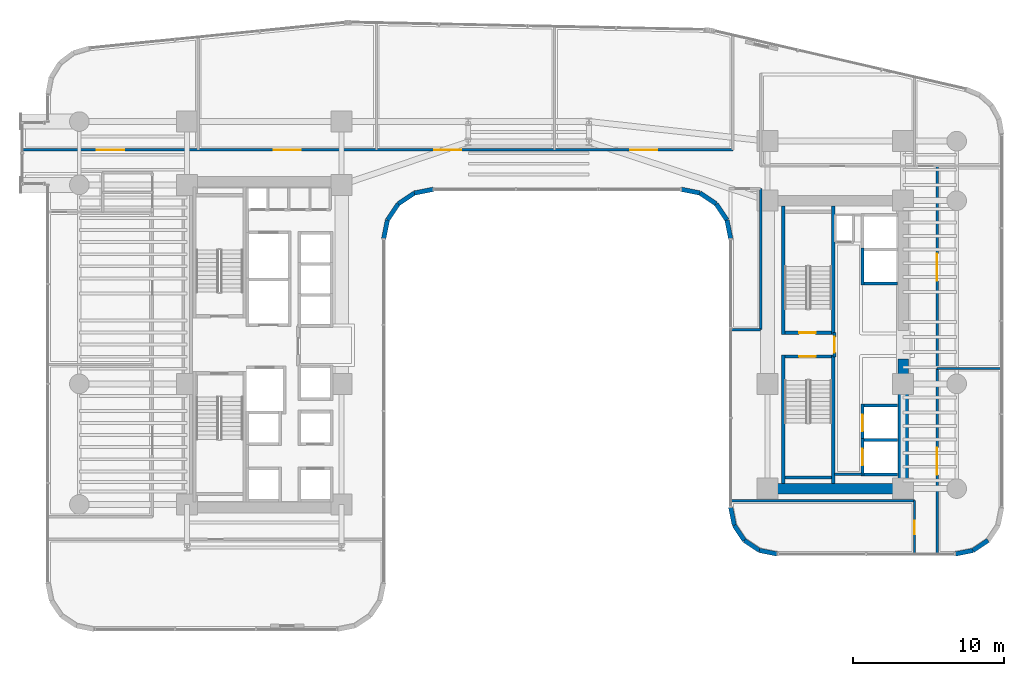
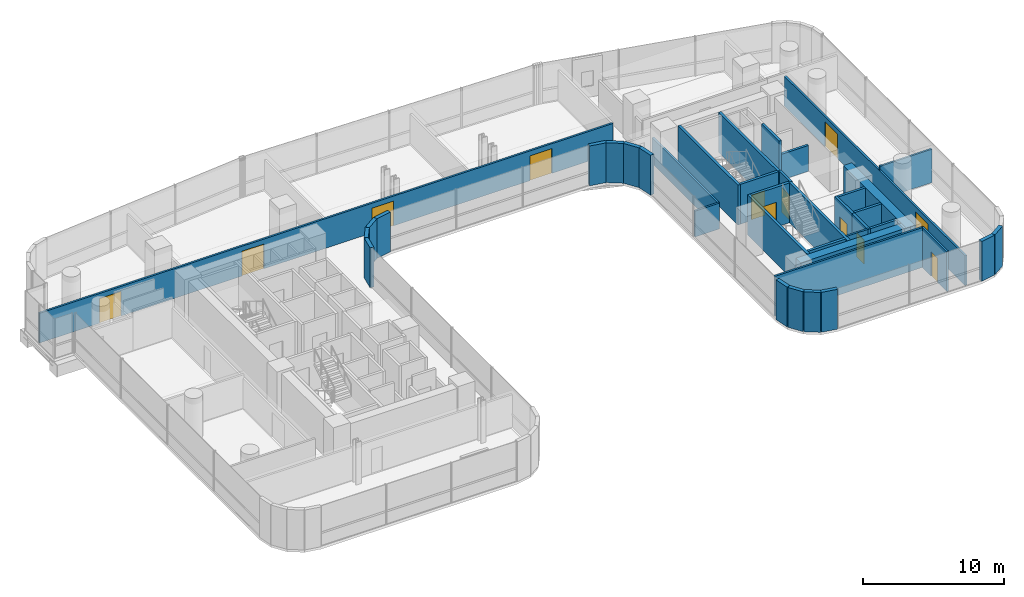
# One storey, part 33 of 40: 39 walls, 12 doors, 12 openings.
"""IFC4 building model written with IfcOpenShell, lengths in metres."""

import ifcopenshell
import ifcopenshell.guid

model = None  # the IFC model being written
_history = None  # IfcOwnerHistory: only IFC2X3 demands one
_inside = {}  # id of a spatial element -> (the spatial element, [elements in it])
_under = {}  # id of a project, library or spatial element -> (it, [spatial elements below it])
_declared = {}  # id of a project -> (the project, [libraries it declares])
_typed = {}  # id of a type object -> (the type object, [elements of that type])
_made_of = {}  # id of a material, layer set ... -> (it, [elements and type objects made of it])


def new_model(schema):
    """Start an empty IFC model of exactly this schema.

    Asked for "IFC4X3", IfcOpenShell would pick the latest addendum, in which some entities
    have other attributes; the version numbers below select the first issue.
    IFC2X3 requires an IfcOwnerHistory on every rooted entity: one is made here for all.
    """
    global model, _history
    if schema == "IFC4X3":
        model = ifcopenshell.file(schema_version=(4, 3, 0, 0))
    else:
        model = ifcopenshell.file(schema=schema)
    _inside.clear()
    _under.clear()
    _declared.clear()
    _typed.clear()
    _made_of.clear()
    _history = None
    if model.schema == "IFC2X3":
        org = make("IfcOrganization", Name="unknown")
        user = make(
            "IfcPersonAndOrganization",
            ThePerson=make("IfcPerson", FamilyName="unknown"),
            TheOrganization=org,
        )
        app = make(
            "IfcApplication",
            ApplicationDeveloper=org,
            Version="unknown",
            ApplicationFullName="unknown",
            ApplicationIdentifier="unknown",
        )
        _history = make(
            "IfcOwnerHistory",
            OwningUser=user,
            OwningApplication=app,
            ChangeAction="ADDED",
            CreationDate=0,
        )
    return model


def make(cls, **values):
    """One entity of the class cls with the attributes given. An attribute that is None is left unset."""
    return model.create_entity(
        cls, **{name: value for name, value in values.items() if value is not None}
    )


def rooted(cls, **values):
    """An entity with a GlobalId (a new one), such as an element, a storey or a relation."""
    return make(cls, GlobalId=ifcopenshell.guid.new(), OwnerHistory=_history, **values)


def si_unit(unit_type, name, prefix=None):
    """IfcSIUnit, for example si_unit("LENGTHUNIT", "METRE", prefix="MILLI")."""
    return make("IfcSIUnit", UnitType=unit_type, Prefix=prefix, Name=name)


def assignment(units):
    """IfcUnitAssignment: the units of a project."""
    return None if units is None else make("IfcUnitAssignment", Units=units)


def point(xyz):
    """IfcCartesianPoint."""
    return None if xyz is None else make("IfcCartesianPoint", Coordinates=xyz)


def direction(xyz):
    """IfcDirection."""
    return None if xyz is None else make("IfcDirection", DirectionRatios=xyz)


def frame(location, z_axis=None, x_axis=None):
    """IfcAxis2Placement3D, a coordinate frame: its origin and axes. An axis left out is left unset."""
    return make(
        "IfcAxis2Placement3D",
        Location=point(location),
        Axis=direction(z_axis),
        RefDirection=direction(x_axis),
    )


def frame_2d(location, x_axis=None):
    """IfcAxis2Placement2D, a coordinate frame in the plane: its origin and x axis."""
    return make(
        "IfcAxis2Placement2D", Location=point(location), RefDirection=direction(x_axis)
    )


def origin():
    """The frame at (0, 0, 0) with its axes left unset."""
    return frame((0.0, 0.0, 0.0))


def place(relative_to, where):
    """IfcLocalPlacement: puts the frame where relative to a parent placement (None: the world)."""
    return make(
        "IfcLocalPlacement", PlacementRelTo=relative_to, RelativePlacement=where
    )


def context(
    kind, dimensions, precision=None, world=None, true_north=None, identifier=None
):
    """IfcGeometricRepresentationContext, for example the 3D "Model" context."""
    return make(
        "IfcGeometricRepresentationContext",
        ContextIdentifier=identifier,
        ContextType=kind,
        CoordinateSpaceDimension=dimensions,
        Precision=precision,
        WorldCoordinateSystem=world,
        TrueNorth=true_north,
    )


def subcontext(parent, identifier, kind, view, scale=None):
    """IfcGeometricRepresentationSubContext, for example "Body" below "Model"."""
    return make(
        "IfcGeometricRepresentationSubContext",
        ContextIdentifier=identifier,
        ContextType=kind,
        ParentContext=parent,
        TargetScale=scale,
        TargetView=view,
    )


def project(units=None, contexts=None):
    """IfcProject with its units and contexts."""
    return rooted(
        "IfcProject",
        Name="project",
        RepresentationContexts=contexts,
        UnitsInContext=assignment(units),
    )


def spatial(cls, under=None, at=None, **own):
    """A site, building, storey or space (cls), placed at a placement, below another one or the project."""
    s = rooted(cls, ObjectPlacement=at, **own)
    if under is not None:
        _under.setdefault(under.id(), (under, []))[1].append(s)
    return s


def profile(cls, at=None, kind="AREA", **sizes):
    """A parametric profile (cls). Its sizes go by their IFC names, for example OverallWidth=200.0."""
    return make(cls, ProfileType=kind, Position=at, **sizes)


def rectangle(**sizes):
    """IfcRectangleProfileDef."""
    return profile("IfcRectangleProfileDef", **sizes)


def extrude(swept, where, along, depth):
    """IfcExtrudedAreaSolid: the profile swept, set in the frame where, extruded along a direction by depth."""
    return make(
        "IfcExtrudedAreaSolid",
        SweptArea=swept,
        Position=where,
        ExtrudedDirection=direction(along),
        Depth=depth,
    )


def shape(context_of_items, identifier, shape_type, items):
    """IfcShapeRepresentation: the items that make up one representation, for example the "Body"."""
    return make(
        "IfcShapeRepresentation",
        ContextOfItems=context_of_items,
        RepresentationIdentifier=identifier,
        RepresentationType=shape_type,
        Items=items,
    )


def material(Name=None, Category=None):
    """IfcMaterial."""
    return make("IfcMaterial", Name=Name, Category=Category)


def layer(
    of_material, thickness, ventilated=None, Name=None, Category=None, Priority=None
):
    """IfcMaterialLayer: one layer of a wall or slab, of a material (None: an air gap)."""
    return make(
        "IfcMaterialLayer",
        Material=of_material,
        LayerThickness=thickness,
        IsVentilated=ventilated,
        Name=Name,
        Category=Category,
        Priority=Priority,
    )


def layer_set(layers, Name=None):
    """IfcMaterialLayerSet."""
    return make("IfcMaterialLayerSet", MaterialLayers=layers, LayerSetName=Name)


def made_of(thing, what):
    """Note that an element or type object is made of a material, layer set ...; save() writes the relation."""
    if what is not None:
        _made_of.setdefault(what.id(), (what, []))[1].append(thing)
    return thing


def type_object(cls, material=None, **own):
    """A type object (cls), such as IfcWallType, which elements share."""
    return made_of(rooted(cls, **own), material)


def element(
    cls,
    number,
    at=None,
    inside=None,
    cuts=None,
    type_object=None,
    material=None,
    context=None,
    identifier="Body",
    shape_type=None,
    held_by="IfcProductDefinitionShape",
    body=None,
    shapes=None,
    **own,
):
    """One element of the class cls, such as IfcWall. Its Tag is "e" and its number.

    at: its placement. inside: the storey or other place that contains it. cuts: it is an
    opening in that element (IfcRelVoidsElement). A single representation is given by context,
    identifier, shape_type and body (its items); several are given by shapes. held_by: the class
    of the entity that holds the representations. save() writes the other relations.
    """
    e = rooted(cls, Tag="e%d" % number, ObjectPlacement=at, **own)
    if body is not None:
        shapes = [shape(context, identifier, shape_type, body)]
    if shapes is not None:
        e.Representation = make(held_by, Representations=shapes)
    if inside is not None:
        _inside.setdefault(inside.id(), (inside, []))[1].append(e)
    if cuts is not None:
        rooted(
            "IfcRelVoidsElement", RelatingBuildingElement=cuts, RelatedOpeningElement=e
        )
    if type_object is not None:
        _typed.setdefault(type_object.id(), (type_object, []))[1].append(e)
    return made_of(e, material)


def fill(opening, filler):
    """IfcRelFillsElement: the door or window that sits in an opening."""
    return rooted(
        "IfcRelFillsElement",
        RelatingOpeningElement=opening,
        RelatedBuildingElement=filler,
    )


def aggregate(whole, parts):
    """IfcRelAggregates: a whole, such as a stair, and the parts it consists of."""
    return rooted("IfcRelAggregates", RelatingObject=whole, RelatedObjects=parts)


def save(model, path):
    """Write the relations noted so far, then the file.

    IfcRelAggregates (storeys below a building ...), IfcRelContainedInSpatialStructure (elements
    in a storey), IfcRelDefinesByType, IfcRelAssociatesMaterial and IfcRelDeclares: one each for
    every whole, place, type object, material and project.
    """
    for whole, parts in _under.values():
        aggregate(whole, parts)
    for where, things in _inside.values():
        rooted(
            "IfcRelContainedInSpatialStructure",
            RelatedElements=things,
            RelatingStructure=where,
        )
    for kind, things in _typed.values():
        rooted("IfcRelDefinesByType", RelatedObjects=things, RelatingType=kind)
    for what, things in _made_of.values():
        rooted("IfcRelAssociatesMaterial", RelatedObjects=things, RelatingMaterial=what)
    for by, libraries in _declared.values():
        rooted("IfcRelDeclares", RelatingContext=by, RelatedDefinitions=libraries)
    model.write(path)


model = new_model("IFC4")

# Units and contexts
model_context = context("Model", 3, precision=1e-05, world=origin(), true_north=direction((0.0, 1.0)))
body_context = subcontext(model_context, "Body", "Model", "MODEL_VIEW")
ifc_project = project(units=[si_unit("LENGTHUNIT", "METRE"), si_unit("AREAUNIT", "SQUARE_METRE"), si_unit("VOLUMEUNIT", "CUBIC_METRE"), si_unit("PLANEANGLEUNIT", "RADIAN"), si_unit("MASSUNIT", "GRAM", prefix="KILO")], contexts=[model_context])

# Site, building, storey
site_placement = place(None, origin())
site = spatial("IfcSite", under=ifc_project, at=site_placement, CompositionType="ELEMENT")
building_placement = place(site_placement, origin())
building = spatial("IfcBuilding", under=site, at=building_placement, Name="Valdorenza Pilgrim Sanctuary Tower", CompositionType="ELEMENT")
storey_placement = place(building_placement, frame((0.0, 0.0, 48.199951171875)))
storey = spatial("IfcBuildingStorey", under=building, at=storey_placement, Name="L11", CompositionType="ELEMENT", Elevation=48.199951171875)

# Wall
ifc_material_1 = material(Name="Acoustic twin-stud gypsum partition", Category="gypsum")
ifc_layer_1 = layer(ifc_material_1, 0.159912109375, Name="Acoustic twin-stud gypsum partition")
ifc_layer_set_1 = layer_set([ifc_layer_1], Name="Acoustic twin-stud gypsum partition")
wall_type_1 = type_object("IfcWallType", Name="WAL-COR-160", PredefinedType="PARTITIONING", material=ifc_layer_set_1)
wall_1_placement = place(storey_placement, frame((20.300048828125, -8.60009765625, 0.0), z_axis=(0.0, 0.0, 1.0), x_axis=(1.0, 0.0, 0.0)))
element("IfcWall", 1, at=wall_1_placement, inside=storey, type_object=wall_type_1, Name="L11 Core B Lift Hall South End Wall", PredefinedType="PARTITIONING", context=body_context, shape_type="SweptSolid", body=[
    extrude(rectangle(XDim=1.820068359375, YDim=0.159912109375, at=frame_2d((0.91015625, 0.0))), origin(), (0.0, 0.0, 1.0), 3.4599609375),
])

# Wall, openings, doors
wall_2_placement = place(storey_placement, frame((-33.5400390625, 12.919921875, 0.0), z_axis=(0.0, 0.0, 1.0), x_axis=(1.0, 0.0, 0.0)))
wall_2 = element("IfcWall", 2, at=wall_2_placement, inside=storey, type_object=wall_type_1, Name="L11 North Corridor Wall", PredefinedType="PARTITIONING", context=body_context, shape_type="SweptSolid", body=[
    extrude(rectangle(XDim=47.090087890625, YDim=0.159912109375, at=frame_2d((23.544921875, 0.0))), origin(), (0.0, 0.0, 1.0), 2.5830078125),
])
opening_1_placement = place(wall_2_placement, frame((4.910888671875, 0.0, 0.0)))
opening_1 = element("IfcOpeningElement", 3, at=opening_1_placement, cuts=wall_2, Name="Opening DR-HL1", PredefinedType="OPENING", context=body_context, shape_type="SweptSolid", body=[
    extrude(rectangle(XDim=1.800048828125, YDim=2.14990234375, at=frame_2d((0.89990234375, 1.074951171875))), frame((0.0, 0.0947265625, 0.0), z_axis=(0.0, -1.0, 0.0), x_axis=(1.0, 0.0, 0.0)), (0.0, 0.0, 1.0), 0.189697265625),
])
opening_2_placement = place(wall_2_placement, frame((16.634033203125, 0.0, 0.0)))
opening_2 = element("IfcOpeningElement", 4, at=opening_2_placement, cuts=wall_2, Name="Opening DR-HL1", PredefinedType="OPENING", context=body_context, shape_type="SweptSolid", body=[
    extrude(rectangle(XDim=1.800048828125, YDim=2.14990234375, at=frame_2d((0.89990234375, 1.074951171875))), frame((0.0, 0.0947265625, 0.0), z_axis=(0.0, -1.0, 0.0), x_axis=(1.0, 0.0, 0.0)), (0.0, 0.0, 1.0), 0.189697265625),
])
opening_3_placement = place(wall_2_placement, frame((27.284912109375, 0.0, 0.0)))
opening_3 = element("IfcOpeningElement", 5, at=opening_3_placement, cuts=wall_2, Name="Opening DR-HL1", PredefinedType="OPENING", context=body_context, shape_type="SweptSolid", body=[
    extrude(rectangle(XDim=1.800048828125, YDim=2.14990234375, at=frame_2d((0.89990234375, 1.074951171875))), frame((0.0, 0.0947265625, 0.0), z_axis=(0.0, -1.0, 0.0), x_axis=(1.0, 0.0, 0.0)), (0.0, 0.0, 1.0), 0.189697265625),
])
opening_4_placement = place(wall_2_placement, frame((40.279052734375, 0.0, 0.0)))
opening_4 = element("IfcOpeningElement", 6, at=opening_4_placement, cuts=wall_2, Name="Opening DR-HL1", PredefinedType="OPENING", context=body_context, shape_type="SweptSolid", body=[
    extrude(rectangle(XDim=1.800048828125, YDim=2.14990234375, at=frame_2d((0.89990234375, 1.074951171875))), frame((0.0, 0.0947265625, 0.0), z_axis=(0.0, -1.0, 0.0), x_axis=(1.0, 0.0, 0.0)), (0.0, 0.0, 1.0), 0.189697265625),
])
ifc_material_2 = material(Name="Acoustic oak and vision-glass double door", Category="glass")
door_type_1 = type_object("IfcDoorType", Name="DR-HALL-1800", OperationType="NOTDEFINED", PredefinedType="DOOR", material=ifc_material_2)
door_1_placement = place(opening_1_placement, frame((1.800048828125, 0.0, 0.0), z_axis=(0.0, 0.0, 1.0), x_axis=(-1.0, 0.0, 0.0)))
door_1 = element("IfcDoor", 7, at=door_1_placement, inside=storey, type_object=door_type_1, Name="L11 Sacred Art Exhibition Gallery L11-N1 Door", OperationType="DOUBLE_DOOR_SINGLE_SWING", OverallHeight=2.14990234375, OverallWidth=1.800048828125, PredefinedType="DOOR", context=body_context, shape_type="SweptSolid", body=[
    extrude(rectangle(XDim=1.800048828125, YDim=2.14990234375, at=frame_2d((0.89990234375, 1.074951171875))), frame((0.0, 0.02490234375, 0.0), z_axis=(0.0, -1.0, 0.0), x_axis=(1.0, 0.0, 0.0)), (0.0, 0.0, 1.0), 0.050048828125),
])
fill(opening_1, door_1)
door_2_placement = place(opening_2_placement, origin())
door_2 = element("IfcDoor", 8, at=door_2_placement, inside=storey, type_object=door_type_1, Name="L11 Sacred Art Exhibition Gallery L11-N2 Door", OperationType="DOUBLE_DOOR_SINGLE_SWING", OverallHeight=2.14990234375, OverallWidth=1.800048828125, PredefinedType="DOOR", context=body_context, shape_type="SweptSolid", body=[
    extrude(rectangle(XDim=1.800048828125, YDim=2.14990234375, at=frame_2d((0.89990234375, 1.074951171875))), frame((0.0, 0.02490234375, 0.0), z_axis=(0.0, -1.0, 0.0), x_axis=(1.0, 0.0, 0.0)), (0.0, 0.0, 1.0), 0.050048828125),
])
fill(opening_2, door_2)
door_3_placement = place(opening_3_placement, frame((1.800048828125, 0.0, 0.0), z_axis=(0.0, 0.0, 1.0), x_axis=(-1.0, 0.0, 0.0)))
door_3 = element("IfcDoor", 9, at=door_3_placement, inside=storey, type_object=door_type_1, Name="L11 Sacred Art Exhibition Gallery L11-N3 Door", OperationType="DOUBLE_DOOR_SINGLE_SWING", OverallHeight=2.14990234375, OverallWidth=1.800048828125, PredefinedType="DOOR", context=body_context, shape_type="SweptSolid", body=[
    extrude(rectangle(XDim=1.800048828125, YDim=2.14990234375, at=frame_2d((0.89990234375, 1.074951171875))), frame((0.0, 0.02490234375, 0.0), z_axis=(0.0, -1.0, 0.0), x_axis=(1.0, 0.0, 0.0)), (0.0, 0.0, 1.0), 0.050048828125),
])
fill(opening_3, door_3)
door_4_placement = place(opening_4_placement, origin())
door_4 = element("IfcDoor", 10, at=door_4_placement, inside=storey, type_object=door_type_1, Name="L11 Sacred Art Exhibition Gallery L11-N4 Door", OperationType="DOUBLE_DOOR_SINGLE_SWING", OverallHeight=2.14990234375, OverallWidth=1.800048828125, PredefinedType="DOOR", context=body_context, shape_type="SweptSolid", body=[
    extrude(rectangle(XDim=1.800048828125, YDim=2.14990234375, at=frame_2d((0.89990234375, 1.074951171875))), frame((0.0, 0.02490234375, 0.0), z_axis=(0.0, -1.0, 0.0), x_axis=(1.0, 0.0, 0.0)), (0.0, 0.0, 1.0), 0.050048828125),
])
fill(opening_4, door_4)

# Wall, opening, door
wall_3_placement = place(storey_placement, frame((25.60009765625, -13.889892578125, 0.0), z_axis=(0.0, 0.0, 1.0), x_axis=(0.0, 1.0, 0.0)))
wall_3 = element("IfcWall", 11, at=wall_3_placement, inside=storey, type_object=wall_type_1, Name="L11 Wing B South-East Corridor Wall", PredefinedType="PARTITIONING", context=body_context, shape_type="SweptSolid", body=[
    extrude(rectangle(XDim=3.539794921875, YDim=0.159912109375, at=frame_2d((1.77001953125, 0.0))), origin(), (0.0, 0.0, 1.0), 3.4599609375),
])
opening_5_placement = place(wall_3_placement, frame((1.320068359375, 0.0, 0.0)))
opening_5 = element("IfcOpeningElement", 12, at=opening_5_placement, cuts=wall_3, Name="Opening DR-RM1", PredefinedType="OPENING", context=body_context, shape_type="SweptSolid", body=[
    extrude(rectangle(XDim=0.89990234375, YDim=2.10009765625, at=frame_2d((0.449951171875, 1.050048828125))), frame((0.0, 0.0947265625, 0.0), z_axis=(0.0, -1.0, 0.0), x_axis=(1.0, 0.0, 0.0)), (0.0, 0.0, 1.0), 0.189697265625),
])
ifc_material_3 = material(Name="Solid-core European oak timber", Category="wood")
door_type_2 = type_object("IfcDoorType", Name="DR-ROOM-900", OperationType="NOTDEFINED", PredefinedType="DOOR", material=ifc_material_3)
door_5_placement = place(opening_5_placement, origin())
door_5 = element("IfcDoor", 13, at=door_5_placement, inside=storey, type_object=door_type_2, Name="L11 Theological Reference Library L11-BS Door", OperationType="SINGLE_SWING_RIGHT", OverallHeight=2.10009765625, OverallWidth=0.89990234375, PredefinedType="DOOR", context=body_context, shape_type="SweptSolid", body=[
    extrude(rectangle(XDim=0.89990234375, YDim=2.10009765625, at=frame_2d((0.449951171875, 1.050048828125))), frame((0.0, 0.02490234375, 0.0), z_axis=(0.0, -1.0, 0.0), x_axis=(1.0, 0.0, 0.0)), (0.0, 0.0, 1.0), 0.050048828125),
])
fill(opening_5, door_5)

# Wall
wall_4_placement = place(storey_placement, frame((13.409912109375, -10.35009765625, 0.0), z_axis=(0.0, 0.0, 1.0), x_axis=(1.0, 0.0, 0.0)))
element("IfcWall", 14, at=wall_4_placement, inside=storey, type_object=wall_type_1, Name="L11 Wing B South North Wall", PredefinedType="PARTITIONING", context=body_context, shape_type="SweptSolid", body=[
    extrude(rectangle(XDim=12.190185546875, YDim=0.159912109375, at=frame_2d((6.09521484375, 0.0))), origin(), (0.0, 0.0, 1.0), 3.4599609375),
])

# Wall, openings, doors
wall_5_placement = place(storey_placement, frame((27.10009765625, -13.889892578125, 0.0), z_axis=(0.0, 0.0, 1.0), x_axis=(0.0, 1.0, 0.0)))
wall_5 = element("IfcWall", 15, at=wall_5_placement, inside=storey, type_object=wall_type_1, Name="L11 Wing B East Corridor Wall", PredefinedType="PARTITIONING", context=body_context, shape_type="SweptSolid", body=[
    extrude(rectangle(XDim=25.739990234375, YDim=0.159912109375, at=frame_2d((12.8701171875, 0.0))), origin(), (0.0, 0.0, 1.0), 2.5830078125),
])
opening_6_placement = place(wall_5_placement, frame((5.258056640625, 0.0, 0.0)))
opening_6 = element("IfcOpeningElement", 16, at=opening_6_placement, cuts=wall_5, Name="Opening DR-HL1", PredefinedType="OPENING", context=body_context, shape_type="SweptSolid", body=[
    extrude(rectangle(XDim=1.800048828125, YDim=2.14990234375, at=frame_2d((0.89990234375, 1.074951171875))), frame((0.0, 0.0947265625, 0.0), z_axis=(0.0, -1.0, 0.0), x_axis=(1.0, 0.0, 0.0)), (0.0, 0.0, 1.0), 0.189697265625),
])
opening_7_placement = place(wall_5_placement, frame((18.1279296875, 0.0, 0.0)))
opening_7 = element("IfcOpeningElement", 17, at=opening_7_placement, cuts=wall_5, Name="Opening DR-HL1", PredefinedType="OPENING", context=body_context, shape_type="SweptSolid", body=[
    extrude(rectangle(XDim=1.800048828125, YDim=2.14990234375, at=frame_2d((0.89990234375, 1.074951171875))), frame((0.0, 0.0947265625, 0.0), z_axis=(0.0, -1.0, 0.0), x_axis=(1.0, 0.0, 0.0)), (0.0, 0.0, 1.0), 0.189697265625),
])
door_6_placement = place(opening_6_placement, origin())
door_6 = element("IfcDoor", 18, at=door_6_placement, inside=storey, type_object=door_type_1, Name="L11 Sacred Art Exhibition Gallery L11-EB1 Door", OperationType="DOUBLE_DOOR_SINGLE_SWING", OverallHeight=2.14990234375, OverallWidth=1.800048828125, PredefinedType="DOOR", context=body_context, shape_type="SweptSolid", body=[
    extrude(rectangle(XDim=1.800048828125, YDim=2.14990234375, at=frame_2d((0.89990234375, 1.074951171875))), frame((0.0, 0.02490234375, 0.0), z_axis=(0.0, -1.0, 0.0), x_axis=(1.0, 0.0, 0.0)), (0.0, 0.0, 1.0), 0.050048828125),
])
fill(opening_6, door_6)
door_7_placement = place(opening_7_placement, frame((1.800048828125, 0.0, 0.0), z_axis=(0.0, 0.0, 1.0), x_axis=(-1.0, 0.0, 0.0)))
door_7 = element("IfcDoor", 19, at=door_7_placement, inside=storey, type_object=door_type_1, Name="L11 Sacred Art Exhibition Gallery L11-EB2 Door", OperationType="DOUBLE_DOOR_SINGLE_SWING", OverallHeight=2.14990234375, OverallWidth=1.800048828125, PredefinedType="DOOR", context=body_context, shape_type="SweptSolid", body=[
    extrude(rectangle(XDim=1.800048828125, YDim=2.14990234375, at=frame_2d((0.89990234375, 1.074951171875))), frame((0.0, 0.02490234375, 0.0), z_axis=(0.0, -1.0, 0.0), x_axis=(1.0, 0.0, 0.0)), (0.0, 0.0, 1.0), 0.050048828125),
])
fill(opening_7, door_7)

# Walls
wall_6_placement = place(storey_placement, frame((15.39990234375, 1.0, 0.0), z_axis=(0.0, 0.0, 1.0), x_axis=(0.0, 1.0, 0.0)))
element("IfcWall", 20, at=wall_6_placement, inside=storey, type_object=wall_type_1, Name="L11 Courtyard Overlook East Wall", PredefinedType="PARTITIONING", context=body_context, shape_type="SweptSolid", body=[
    extrude(rectangle(XDim=9.35009765625, YDim=0.159912109375, at=frame_2d((4.675048828125, 0.0))), origin(), (0.0, 0.0, 1.0), 2.2451171875),
])
wall_7_placement = place(storey_placement, frame((13.409912109375, 1.0, 0.0), z_axis=(0.0, 0.0, 1.0), x_axis=(1.0, 0.0, 0.0)))
element("IfcWall", 21, at=wall_7_placement, inside=storey, type_object=wall_type_1, Name="L11 Courtyard Overlook South Wall", PredefinedType="PARTITIONING", context=body_context, shape_type="SweptSolid", body=[
    extrude(rectangle(XDim=1.989990234375, YDim=0.159912109375, at=frame_2d((0.9951171875, 0.0))), origin(), (0.0, 0.0, 1.0), 2.2451171875),
])
ifc_material_4 = material(Name="Concrete C60/75", Category="concrete")
ifc_layer_2 = layer(ifc_material_4, 0.699951171875, Name="Concrete C60/75")
ifc_layer_set_2 = layer_set([ifc_layer_2], Name="Concrete C60/75")
wall_type_2 = type_object("IfcWallType", Name="WAL-COR-700", PredefinedType="SHEAR", material=ifc_layer_set_2)
wall_8_placement = place(storey_placement, frame((24.85009765625, -9.89990234375, 0.0), z_axis=(0.0, 0.0, 1.0), x_axis=(0.0, 1.0, 0.0)))
element("IfcWall", 22, at=wall_8_placement, inside=storey, type_object=wall_type_2, Name="L11 Split Core B Shear Wall ES", PredefinedType="SHEAR", context=body_context, shape_type="SweptSolid", body=[
    extrude(rectangle(XDim=8.949951171875, YDim=0.699951171875, at=frame_2d((4.47509765625, 0.0))), origin(), (0.0, 0.0, 1.0), 3.4599609375),
])
wall_9_placement = place(storey_placement, frame((15.85009765625, -9.550048828125, 0.0), z_axis=(0.0, 0.0, 1.0), x_axis=(1.0, 0.0, 0.0)))
element("IfcWall", 23, at=wall_9_placement, inside=storey, type_object=wall_type_2, Name="L11 Split Core B Shear Wall S", PredefinedType="SHEAR", context=body_context, shape_type="SweptSolid", body=[
    extrude(rectangle(XDim=9.0, YDim=0.699951171875, at=frame_2d((4.5, 0.0))), origin(), (0.0, 0.0, 1.0), 3.4599609375),
])
ifc_material_5 = material(Name="Honed travertine limestone", Category="masonry")
ifc_layer_3 = layer(ifc_material_5, 0.300048828125, Name="Honed travertine limestone")
ifc_layer_set_3 = layer_set([ifc_layer_3], Name="Honed travertine limestone")
wall_type_3 = type_object("IfcWallType", Name="WAL-EXT-300", PredefinedType="SOLIDWALL", material=ifc_layer_set_3)
wall_10_placement = place(storey_placement, frame((30.4833984375, -12.9833984375, 0.0), z_axis=(0.0, 0.0, 1.0), x_axis=(-0.831426265255, -0.555635100982, 0.0)))
element("IfcWall", 24, at=wall_10_placement, inside=storey, type_object=wall_type_3, Name="L11 Rounded Wind-Corner Stone Pier 24", PredefinedType="SOLIDWALL", context=body_context, shape_type="SweptSolid", body=[
    extrude(rectangle(XDim=1.204833984375, YDim=0.300048828125, at=frame_2d((0.6025390625, 0.0))), origin(), (0.0, 0.0, 1.0), 3.4599609375),
])
for number, where, z_axis, x_axis, name in (
    (25, (29.481689453125, -13.65283203125, 0.0), (0.0, 0.0, 1.0), (-0.980804027463, -0.194996050505, 0.0), "L11 Rounded Wind-Corner Stone Pier 25"),
    (26, (16.5107421875, -13.889892578125, 0.0), (0.0, 0.0, 1.0), (-0.980804027463, 0.194996050505, 0.0), "L11 Rounded Wind-Corner Stone Pier 27"),
):
    element("IfcWall", number, at=place(storey_placement, frame(where, z_axis=z_axis, x_axis=x_axis)), inside=storey, type_object=wall_type_3, Name=name, PredefinedType="SOLIDWALL", context=body_context, shape_type="SweptSolid", body=[
        extrude(rectangle(XDim=1.2158203125, YDim=0.300048828125, at=frame_2d((0.60791015625, 0.0))), origin(), (0.0, 0.0, 1.0), 3.4599609375),
    ])
for number, where, z_axis, x_axis, name in (
    (27, (15.318359375, -13.65283203125, 0.0), (0.0, 0.0, 1.0), (-0.831426265255, 0.555635100982, 0.0), "L11 Rounded Wind-Corner Stone Pier 28"),
    (28, (14.316650390625, -12.9833984375, 0.0), (0.0, 0.0, 1.0), (-0.555635100982, 0.831426265255, 0.0), "L11 Rounded Wind-Corner Stone Pier 29"),
):
    element("IfcWall", number, at=place(storey_placement, frame(where, z_axis=z_axis, x_axis=x_axis)), inside=storey, type_object=wall_type_3, Name=name, PredefinedType="SOLIDWALL", context=body_context, shape_type="SweptSolid", body=[
        extrude(rectangle(XDim=1.204833984375, YDim=0.300048828125, at=frame_2d((0.6025390625, 0.0))), origin(), (0.0, 0.0, 1.0), 3.4599609375),
    ])
wall_11_placement = place(storey_placement, frame((13.647216796875, -11.981689453125, 0.0), z_axis=(0.0, 0.0, 1.0), x_axis=(-0.195189223115, 0.980765602568, 0.0)))
element("IfcWall", 29, at=wall_11_placement, inside=storey, type_object=wall_type_3, Name="L11 Rounded Wind-Corner Stone Pier 30", PredefinedType="SOLIDWALL", context=body_context, shape_type="SweptSolid", body=[
    extrude(rectangle(XDim=1.2158203125, YDim=0.300048828125, at=frame_2d((0.60791015625, 0.0))), origin(), (0.0, 0.0, 1.0), 3.4599609375),
])
wall_12_placement = place(storey_placement, frame((13.409912109375, 7.0107421875, 0.0), z_axis=(0.0, 0.0, 1.0), x_axis=(-0.195090163074, 0.980785312019, 0.0)))
element("IfcWall", 30, at=wall_12_placement, inside=storey, type_object=wall_type_3, Name="L11 Rounded Wind-Corner Stone Pier 32", PredefinedType="SOLIDWALL", context=body_context, shape_type="SweptSolid", body=[
    extrude(rectangle(XDim=1.281494140625, YDim=0.300048828125, at=frame_2d((0.640625, 0.0))), origin(), (0.0, 0.0, 1.0), 3.4599609375),
])
for number, where, z_axis, x_axis, name in (
    (31, (13.159912109375, 8.267578125, 0.0), (0.0, 0.0, 1.0), (-0.555615398575, 0.831439431869, 0.0), "L11 Rounded Wind-Corner Stone Pier 33"),
    (32, (12.44189453125, 9.342041015625, 0.0), (0.0, 0.0, 1.0), (-0.831439431869, 0.555615398575, 0.0), "L11 Rounded Wind-Corner Stone Pier 34"),
):
    element("IfcWall", number, at=place(storey_placement, frame(where, z_axis=z_axis, x_axis=x_axis)), inside=storey, type_object=wall_type_3, Name=name, PredefinedType="SOLIDWALL", context=body_context, shape_type="SweptSolid", body=[
        extrude(rectangle(XDim=1.292236328125, YDim=0.300048828125, at=frame_2d((0.64599609375, 0.0))), origin(), (0.0, 0.0, 1.0), 3.4599609375),
    ])
for number, where, z_axis, x_axis, name in (
    (33, (11.367431640625, 10.06005859375, 0.0), (0.0, 0.0, 1.0), (-0.980778058848, 0.195126623715, 0.0), "L11 Rounded Wind-Corner Stone Pier 35"),
    (34, (-6.310791015625, 10.31005859375, 0.0), (0.0, 0.0, 1.0), (-0.980778058848, -0.195126623715, 0.0), "L11 Rounded Wind-Corner Stone Pier 37"),
):
    element("IfcWall", number, at=place(storey_placement, frame(where, z_axis=z_axis, x_axis=x_axis)), inside=storey, type_object=wall_type_3, Name=name, PredefinedType="SOLIDWALL", context=body_context, shape_type="SweptSolid", body=[
        extrude(rectangle(XDim=1.28125, YDim=0.300048828125, at=frame_2d((0.640625, 0.0))), origin(), (0.0, 0.0, 1.0), 3.4599609375),
    ])
wall_13_placement = place(storey_placement, frame((-7.5673828125, 10.06005859375, 0.0), z_axis=(0.0, 0.0, 1.0), x_axis=(-0.831497739511, -0.555528135371, 0.0)))
element("IfcWall", 35, at=wall_13_placement, inside=storey, type_object=wall_type_3, Name="L11 Rounded Wind-Corner Stone Pier 38", PredefinedType="SOLIDWALL", context=body_context, shape_type="SweptSolid", body=[
    extrude(rectangle(XDim=1.29248046875, YDim=0.300048828125, at=frame_2d((0.646240234375, 0.0))), origin(), (0.0, 0.0, 1.0), 3.4599609375),
])
wall_14_placement = place(storey_placement, frame((-8.64208984375, 9.342041015625, 0.0), z_axis=(0.0, 0.0, 1.0), x_axis=(-0.555615398575, -0.831439431869, 0.0)))
element("IfcWall", 36, at=wall_14_placement, inside=storey, type_object=wall_type_3, Name="L11 Rounded Wind-Corner Stone Pier 39", PredefinedType="SOLIDWALL", context=body_context, shape_type="SweptSolid", body=[
    extrude(rectangle(XDim=1.292236328125, YDim=0.300048828125, at=frame_2d((0.64599609375, 0.0))), origin(), (0.0, 0.0, 1.0), 3.4599609375),
])
wall_15_placement = place(storey_placement, frame((-9.360107421875, 8.267578125, 0.0), z_axis=(0.0, 0.0, 1.0), x_axis=(-0.195090163074, -0.980785312019, 0.0)))
element("IfcWall", 37, at=wall_15_placement, inside=storey, type_object=wall_type_3, Name="L11 Rounded Wind-Corner Stone Pier 40", PredefinedType="SOLIDWALL", context=body_context, shape_type="SweptSolid", body=[
    extrude(rectangle(XDim=1.281494140625, YDim=0.300048828125, at=frame_2d((0.640625, 0.0))), origin(), (0.0, 0.0, 1.0), 3.4599609375),
])

# Wall, opening, door
ifc_material_6 = material(Name="Gypsum shaftwall partition", Category="gypsum")
ifc_layer_4 = layer(ifc_material_6, 0.199951171875, Name="Gypsum shaftwall partition")
ifc_layer_set_4 = layer_set([ifc_layer_4], Name="Gypsum shaftwall partition")
wall_type_4 = type_object("IfcWallType", Name="WAL-FFL-200", PredefinedType="PARTITIONING", material=ifc_layer_set_4)
wall_16_placement = place(storey_placement, frame((20.300048828125, -0.820068359375, 0.0), z_axis=(0.0, 0.0, 1.0), x_axis=(0.0, 1.0, 0.0)))
wall_16 = element("IfcWall", 38, at=wall_16_placement, inside=storey, type_object=wall_type_4, Name="L11 Core B Firefighting Lobby East Wall", PredefinedType="PARTITIONING", context=body_context, shape_type="SweptSolid", body=[
    extrude(rectangle(XDim=1.64013671875, YDim=0.199951171875, at=frame_2d((0.820068359375, 0.0))), origin(), (0.0, 0.0, 1.0), 3.4599609375),
])
opening_8_placement = place(wall_16_placement, frame((0.294921875, 0.0, 0.0)))
opening_8 = element("IfcOpeningElement", 39, at=opening_8_placement, cuts=wall_16, Name="Opening DR-FL1", PredefinedType="OPENING", context=body_context, shape_type="SweptSolid", body=[
    extrude(rectangle(XDim=1.050048828125, YDim=2.14990234375, at=frame_2d((0.52490234375, 1.074951171875))), frame((0.0, 0.11474609375, 0.0), z_axis=(0.0, -1.0, 0.0), x_axis=(1.0, 0.0, 0.0)), (0.0, 0.0, 1.0), 0.229736328125),
])
ifc_material_7 = material(Name="Painted galvanized steel", Category="steel")
door_type_3 = type_object("IfcDoorType", Name="DR-FFL-1050", OperationType="NOTDEFINED", PredefinedType="DOOR", material=ifc_material_7)
door_8_placement = place(opening_8_placement, frame((1.050048828125, 0.0, 0.0), z_axis=(0.0, 0.0, 1.0), x_axis=(-1.0, 0.0, 0.0)))
door_8 = element("IfcDoor", 40, at=door_8_placement, inside=storey, type_object=door_type_3, Name="L11 Core B Firefighting Lobby Door", OperationType="SINGLE_SWING_LEFT", OverallHeight=2.14990234375, OverallWidth=1.050048828125, PredefinedType="DOOR", context=body_context, shape_type="SweptSolid", body=[
    extrude(rectangle(XDim=1.050048828125, YDim=2.14990234375, at=frame_2d((0.52490234375, 1.074951171875))), frame((0.0, 0.02490234375, 0.0), z_axis=(0.0, -1.0, 0.0), x_axis=(1.0, 0.0, 0.0)), (0.0, 0.0, 1.0), 0.050048828125),
])
fill(opening_8, door_8)

ifc_material_8 = material(Name="Autoclaved aerated concrete blockwork", Category="masonry")
ifc_layer_5 = layer(ifc_material_8, 0.199951171875, Name="Autoclaved aerated concrete blockwork")
ifc_layer_set_5 = layer_set([ifc_layer_5], Name="Autoclaved aerated concrete blockwork")
wall_type_5 = type_object("IfcWallType", Name="WAL-SHF-200", PredefinedType="MOVABLE", material=ifc_layer_set_5)
wall_17_placement = place(storey_placement, frame((22.14990234375, -8.699951171875, 0.0), z_axis=(0.0, 0.0, 1.0), x_axis=(0.0, 1.0, 0.0)))
wall_17 = element("IfcWall", 41, at=wall_17_placement, inside=storey, type_object=wall_type_5, Name="L11 Lift PL-03 Hoistway Wall West", PredefinedType="MOVABLE", context=body_context, shape_type="SweptSolid", body=[
    extrude(rectangle(XDim=2.474853515625, YDim=0.199951171875, at=frame_2d((1.2373046875, 0.0))), origin(), (0.0, 0.0, 1.0), 3.4599609375),
])
opening_9_placement = place(wall_17_placement, frame((0.6875, 0.0, 0.0)))
opening_9 = element("IfcOpeningElement", 42, at=opening_9_placement, cuts=wall_17, Name="Opening LD-01", PredefinedType="OPENING", context=body_context, shape_type="SweptSolid", body=[
    extrude(rectangle(XDim=1.10009765625, YDim=2.10009765625, at=frame_2d((0.550048828125, 1.050048828125))), frame((0.0, 0.11474609375, 0.0), z_axis=(0.0, -1.0, 0.0), x_axis=(1.0, 0.0, 0.0)), (0.0, 0.0, 1.0), 0.229736328125),
])
ifc_material_9 = material(Name="Brushed stainless steel Grade 316", Category="steel")
door_type_4 = type_object("IfcDoorType", Name="DR-LFT-1100", OperationType="DOUBLE_DOOR_SLIDING", PredefinedType="DOOR", material=ifc_material_9)
door_9_placement = place(opening_9_placement, origin())
door_9 = element("IfcDoor", 43, at=door_9_placement, inside=storey, type_object=door_type_4, Name="L11 Lift PL-03 Sliding Landing Door", OperationType="DOUBLE_DOOR_SLIDING", OverallHeight=2.10009765625, OverallWidth=1.10009765625, PredefinedType="DOOR", context=body_context, shape_type="SweptSolid", body=[
    extrude(rectangle(XDim=1.10009765625, YDim=2.10009765625, at=frame_2d((0.550048828125, 1.050048828125))), frame((0.0, 0.02490234375, 0.0), z_axis=(0.0, -1.0, 0.0), x_axis=(1.0, 0.0, 0.0)), (0.0, 0.0, 1.0), 0.050048828125),
])
fill(opening_9, door_9)

# Walls
for number, where, z_axis, x_axis, name in (
    (44, (22.25, -8.60009765625, 0.0), (0.0, 0.0, 1.0), (1.0, 0.0, 0.0), "L11 Lift PL-03 Hoistway Wall South"),
    (45, (22.25, -6.324951171875, 0.0), (0.0, 0.0, 1.0), (1.0, 0.0, 0.0), "L11 Lift PL-03 Hoistway Wall North"),
):
    element("IfcWall", number, at=place(storey_placement, frame(where, z_axis=z_axis, x_axis=x_axis)), inside=storey, type_object=wall_type_5, Name=name, PredefinedType="MOVABLE", context=body_context, shape_type="SweptSolid", body=[
        extrude(rectangle(XDim=2.22998046875, YDim=0.199951171875, at=frame_2d((1.114990234375, 0.0))), origin(), (0.0, 0.0, 1.0), 3.4599609375),
    ])

# Wall, opening, door
wall_18_placement = place(storey_placement, frame((22.14990234375, -6.425048828125, 0.0), z_axis=(0.0, 0.0, 1.0), x_axis=(0.0, 1.0, 0.0)))
wall_18 = element("IfcWall", 46, at=wall_18_placement, inside=storey, type_object=wall_type_5, Name="L11 Lift PL-04 Hoistway Wall West", PredefinedType="MOVABLE", context=body_context, shape_type="SweptSolid", body=[
    extrude(rectangle(XDim=2.47509765625, YDim=0.199951171875, at=frame_2d((1.237548828125, 0.0))), origin(), (0.0, 0.0, 1.0), 3.4599609375),
])
opening_10_placement = place(wall_18_placement, frame((0.6875, 0.0, 0.0)))
opening_10 = element("IfcOpeningElement", 47, at=opening_10_placement, cuts=wall_18, Name="Opening LD-01", PredefinedType="OPENING", context=body_context, shape_type="SweptSolid", body=[
    extrude(rectangle(XDim=1.10009765625, YDim=2.10009765625, at=frame_2d((0.550048828125, 1.050048828125))), frame((0.0, 0.11474609375, 0.0), z_axis=(0.0, -1.0, 0.0), x_axis=(1.0, 0.0, 0.0)), (0.0, 0.0, 1.0), 0.229736328125),
])
door_10_placement = place(opening_10_placement, origin())
door_10 = element("IfcDoor", 48, at=door_10_placement, inside=storey, type_object=door_type_4, Name="L11 Lift PL-04 Sliding Landing Door", OperationType="DOUBLE_DOOR_SLIDING", OverallHeight=2.10009765625, OverallWidth=1.10009765625, PredefinedType="DOOR", context=body_context, shape_type="SweptSolid", body=[
    extrude(rectangle(XDim=1.10009765625, YDim=2.10009765625, at=frame_2d((0.550048828125, 1.050048828125))), frame((0.0, 0.02490234375, 0.0), z_axis=(0.0, -1.0, 0.0), x_axis=(1.0, 0.0, 0.0)), (0.0, 0.0, 1.0), 0.050048828125),
])
fill(opening_10, door_10)

# Walls
wall_19_placement = place(storey_placement, frame((22.25, -4.050048828125, 0.0), z_axis=(0.0, 0.0, 1.0), x_axis=(1.0, 0.0, 0.0)))
element("IfcWall", 49, at=wall_19_placement, inside=storey, type_object=wall_type_5, Name="L11 Lift PL-04 Hoistway Wall North", PredefinedType="MOVABLE", context=body_context, shape_type="SweptSolid", body=[
    extrude(rectangle(XDim=2.22998046875, YDim=0.199951171875, at=frame_2d((1.114990234375, 0.0))), origin(), (0.0, 0.0, 1.0), 3.4599609375),
])
wall_20_placement = place(storey_placement, frame((22.14990234375, 3.949951171875, 0.0), z_axis=(0.0, 0.0, 1.0), x_axis=(0.0, 1.0, 0.0)))
element("IfcWall", 50, at=wall_20_placement, inside=storey, type_object=wall_type_5, Name="L11 Lift PL-07 Hoistway Wall West", PredefinedType="MOVABLE", context=body_context, shape_type="SweptSolid", body=[
    extrude(rectangle(XDim=2.47509765625, YDim=0.199951171875, at=frame_2d((1.237548828125, 0.0))), origin(), (0.0, 0.0, 1.0), 3.4599609375),
])
wall_21_placement = place(storey_placement, frame((22.25, 4.050048828125, 0.0), z_axis=(0.0, 0.0, 1.0), x_axis=(1.0, 0.0, 0.0)))
element("IfcWall", 51, at=wall_21_placement, inside=storey, type_object=wall_type_5, Name="L11 Lift PL-07 Hoistway Wall South", PredefinedType="MOVABLE", context=body_context, shape_type="SweptSolid", body=[
    extrude(rectangle(XDim=2.22998046875, YDim=0.199951171875, at=frame_2d((1.114990234375, 0.0))), origin(), (0.0, 0.0, 1.0), 2.2451171875),
])
ifc_material_10 = material(Name="Concrete C40/50", Category="concrete")
ifc_layer_6 = layer(ifc_material_10, 0.219970703125, Name="Concrete C40/50")
ifc_layer_set_6 = layer_set([ifc_layer_6], Name="Concrete C40/50")
wall_type_6 = type_object("IfcWallType", Name="WAL-STR-SHF-220", PredefinedType="SHEAR", material=ifc_layer_set_6)
for number, where, z_axis, x_axis, name in (
    (52, (16.889892578125, 0.679931640625, 0.0), (0.0, 0.0, 1.0), (0.0, 1.0, 0.0), "L11 ST-B1 Structural Stairwell Wall W"),
    (53, (20.219970703125, 0.679931640625, 0.0), (0.0, 0.0, 1.0), (0.0, 1.0, 0.0), "L11 ST-B1 Structural Stairwell Wall E"),
):
    element("IfcWall", number, at=place(storey_placement, frame(where, z_axis=z_axis, x_axis=x_axis)), inside=storey, type_object=wall_type_6, Name=name, PredefinedType="SHEAR", context=body_context, shape_type="SweptSolid", body=[
        extrude(rectangle(XDim=8.52001953125, YDim=0.219970703125, at=frame_2d((4.260009765625, 0.0))), origin(), (0.0, 0.0, 1.0), 3.4599609375),
    ])

# Wall, opening, door
wall_22_placement = place(storey_placement, frame((17.0, 0.7900390625, 0.0), z_axis=(0.0, 0.0, 1.0), x_axis=(1.0, 0.0, 0.0)))
wall_22 = element("IfcWall", 54, at=wall_22_placement, inside=storey, type_object=wall_type_6, Name="L11 ST-B1 Structural Stairwell Wall S", PredefinedType="SHEAR", context=body_context, shape_type="SweptSolid", body=[
    extrude(rectangle(XDim=3.110107421875, YDim=0.219970703125, at=frame_2d((1.55517578125, 0.0))), origin(), (0.0, 0.0, 1.0), 3.4599609375),
])
opening_11_placement = place(wall_22_placement, frame((0.949951171875, 0.0, 0.0)))
opening_11 = element("IfcOpeningElement", 55, at=opening_11_placement, cuts=wall_22, Name="Opening DR-ST1", PredefinedType="OPENING", context=body_context, shape_type="SweptSolid", body=[
    extrude(rectangle(XDim=1.10009765625, YDim=2.14990234375, at=frame_2d((0.550048828125, 1.074951171875))), frame((0.0, 0.125, 0.0), z_axis=(0.0, -1.0, 0.0), x_axis=(1.0, 0.0, 0.0)), (0.0, 0.0, 1.0), 0.249755859375),
])
door_type_5 = type_object("IfcDoorType", Name="DR-STAIR-1100", OperationType="NOTDEFINED", PredefinedType="DOOR", material=ifc_material_7)
door_11_placement = place(opening_11_placement, origin())
door_11 = element("IfcDoor", 56, at=door_11_placement, inside=storey, type_object=door_type_5, Name="L11 Exit Stair ST-B1 Door", OperationType="SINGLE_SWING_RIGHT", OverallHeight=2.14990234375, OverallWidth=1.10009765625, PredefinedType="DOOR", context=body_context, shape_type="SweptSolid", body=[
    extrude(rectangle(XDim=1.10009765625, YDim=2.14990234375, at=frame_2d((0.550048828125, 1.074951171875))), frame((0.0, 0.02490234375, 0.0), z_axis=(0.0, -1.0, 0.0), x_axis=(1.0, 0.0, 0.0)), (0.0, 0.0, 1.0), 0.050048828125),
])
fill(opening_11, door_11)

# Walls
for number, where, z_axis, x_axis, name in (
    (57, (16.889892578125, -9.199951171875, 0.0), (0.0, 0.0, 1.0), (0.0, 1.0, 0.0), "L11 ST-B2 Structural Stairwell Wall W"),
    (58, (20.219970703125, -9.199951171875, 0.0), (0.0, 0.0, 1.0), (0.0, 1.0, 0.0), "L11 ST-B2 Structural Stairwell Wall E"),
):
    element("IfcWall", number, at=place(storey_placement, frame(where, z_axis=z_axis, x_axis=x_axis)), inside=storey, type_object=wall_type_6, Name=name, PredefinedType="SHEAR", context=body_context, shape_type="SweptSolid", body=[
        extrude(rectangle(XDim=8.52001953125, YDim=0.219970703125, at=frame_2d((4.260009765625, 0.0))), origin(), (0.0, 0.0, 1.0), 3.4599609375),
    ])
wall_23_placement = place(storey_placement, frame((17.0, -8.81005859375, 0.0), z_axis=(0.0, 0.0, 1.0), x_axis=(1.0, 0.0, 0.0)))
element("IfcWall", 59, at=wall_23_placement, inside=storey, type_object=wall_type_6, Name="L11 ST-B2 Structural Stairwell Wall S", PredefinedType="SHEAR", context=body_context, shape_type="SweptSolid", body=[
    extrude(rectangle(XDim=3.110107421875, YDim=0.219970703125, at=frame_2d((1.55517578125, 0.0))), origin(), (0.0, 0.0, 1.0), 3.4599609375),
])

# Wall, opening, door
wall_24_placement = place(storey_placement, frame((17.0, -0.7900390625, 0.0), z_axis=(0.0, 0.0, 1.0), x_axis=(1.0, 0.0, 0.0)))
wall_24 = element("IfcWall", 60, at=wall_24_placement, inside=storey, type_object=wall_type_6, Name="L11 ST-B2 Structural Stairwell Wall N", PredefinedType="SHEAR", context=body_context, shape_type="SweptSolid", body=[
    extrude(rectangle(XDim=3.110107421875, YDim=0.219970703125, at=frame_2d((1.55517578125, 0.0))), origin(), (0.0, 0.0, 1.0), 3.4599609375),
])
opening_12_placement = place(wall_24_placement, frame((0.949951171875, 0.0, 0.0)))
opening_12 = element("IfcOpeningElement", 61, at=opening_12_placement, cuts=wall_24, Name="Opening DR-ST1", PredefinedType="OPENING", context=body_context, shape_type="SweptSolid", body=[
    extrude(rectangle(XDim=1.10009765625, YDim=2.14990234375, at=frame_2d((0.550048828125, 1.074951171875))), frame((0.0, 0.125, 0.0), z_axis=(0.0, -1.0, 0.0), x_axis=(1.0, 0.0, 0.0)), (0.0, 0.0, 1.0), 0.249755859375),
])
door_12_placement = place(opening_12_placement, frame((1.10009765625, 0.0, 0.0), z_axis=(0.0, 0.0, 1.0), x_axis=(-1.0, 0.0, 0.0)))
door_12 = element("IfcDoor", 62, at=door_12_placement, inside=storey, type_object=door_type_5, Name="L11 Exit Stair ST-B2 Door", OperationType="SINGLE_SWING_LEFT", OverallHeight=2.14990234375, OverallWidth=1.10009765625, PredefinedType="DOOR", context=body_context, shape_type="SweptSolid", body=[
    extrude(rectangle(XDim=1.10009765625, YDim=2.14990234375, at=frame_2d((0.550048828125, 1.074951171875))), frame((0.0, 0.02490234375, 0.0), z_axis=(0.0, -1.0, 0.0), x_axis=(1.0, 0.0, 0.0)), (0.0, 0.0, 1.0), 0.050048828125),
])
fill(opening_12, door_12)

# Wall
ifc_layer_7 = layer(ifc_material_1, 0.14990234375, Name="Acoustic twin-stud gypsum partition")
ifc_layer_set_7 = layer_set([ifc_layer_7], Name="Acoustic twin-stud gypsum partition")
wall_type_7 = type_object("IfcWallType", Name="WAL-UNT-150", PredefinedType="PARTITIONING", material=ifc_layer_set_7)
wall_25_placement = place(storey_placement, frame((27.10009765625, -1.574951171875, 0.0), z_axis=(0.0, 0.0, 1.0), x_axis=(1.0, 0.0, 0.0)))
element("IfcWall", 63, at=wall_25_placement, inside=storey, type_object=wall_type_7, Name="L11 Sacred Art Exhibition Gallery L11-EB2 Demising Wall", PredefinedType="PARTITIONING", context=body_context, shape_type="SweptSolid", body=[
    extrude(rectangle(XDim=4.289794921875, YDim=0.14990234375, at=frame_2d((2.14501953125, 0.0))), origin(), (0.0, 0.0, 1.0), 2.89599609375),
])

save(model, "model.ifc")
